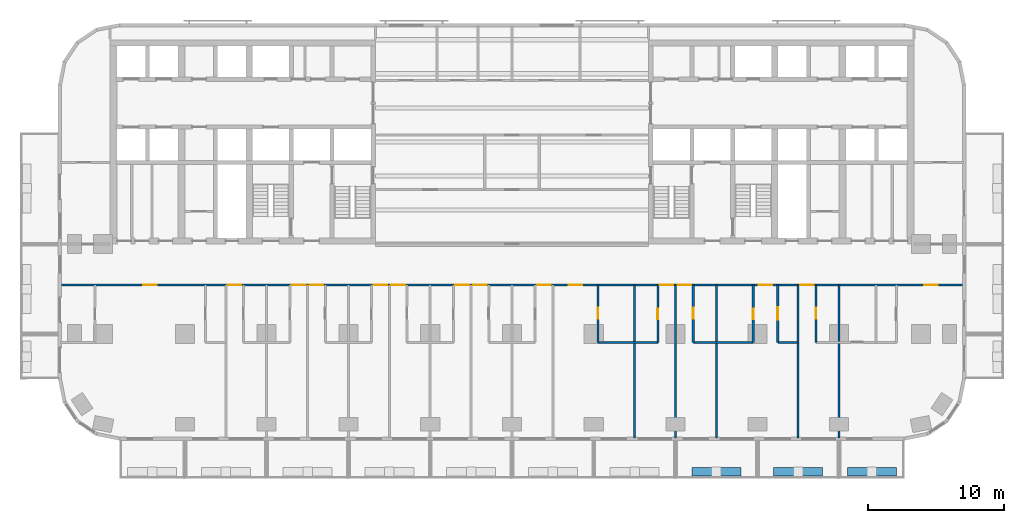
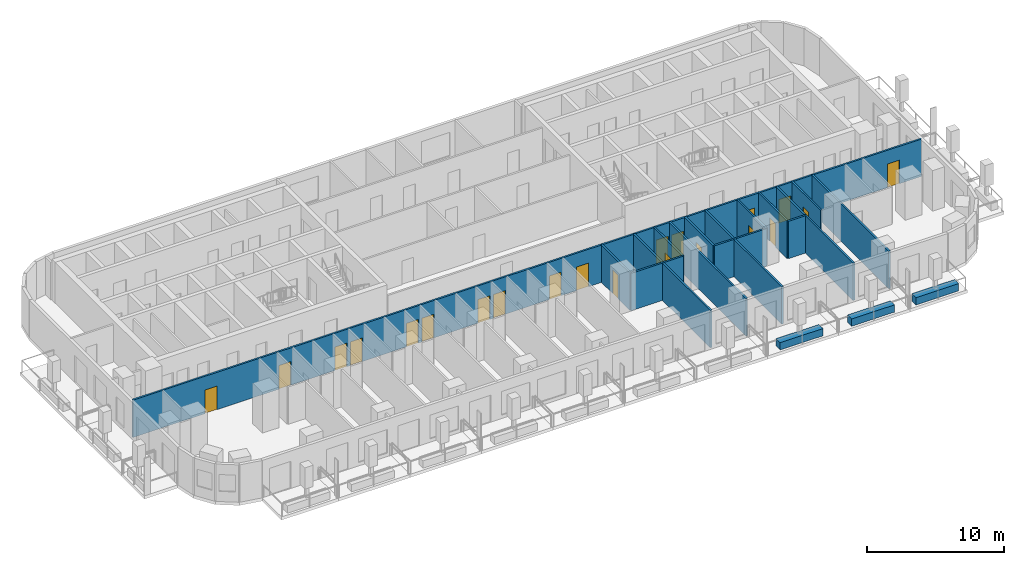
# One storey, part 6 of 15: 21 doors, 18 walls, 21 openings.
"""IFC4 building model written with IfcOpenShell, lengths in metres."""

from ifc_helpers import new_model, si_unit, direction, frame, frame_2d, origin, place, context, subcontext, project, spatial, rectangle, extrude, material, layer, layer_set, type_object, element, fill, save


model = new_model("IFC4")

# Units and contexts
model_context = context("Model", 3, precision=1e-05, world=origin(), true_north=direction((0.0, 1.0)))
body_context = subcontext(model_context, "Body", "Model", "MODEL_VIEW")
ifc_project = project(units=[si_unit("LENGTHUNIT", "METRE"), si_unit("AREAUNIT", "SQUARE_METRE"), si_unit("VOLUMEUNIT", "CUBIC_METRE"), si_unit("PLANEANGLEUNIT", "RADIAN"), si_unit("MASSUNIT", "GRAM", prefix="KILO")], contexts=[model_context])

# Site, building, storey
site_placement = place(None, origin())
site = spatial("IfcSite", under=ifc_project, at=site_placement, CompositionType="ELEMENT")
building_placement = place(site_placement, origin())
building = spatial("IfcBuilding", under=site, at=building_placement, Name="Torana Hotel and Residences", CompositionType="ELEMENT")
storey_placement = place(building_placement, frame((0.0, 0.0, 42.0)))
storey = spatial("IfcBuildingStorey", under=building, at=storey_placement, Name="L09", CompositionType="ELEMENT", Elevation=42.0)

# Wall, openings, doors
ifc_material_1 = material(Name="Gypsum plaster")
ifc_layer_1 = layer(ifc_material_1, 0.014892578125, Name="Plaster", Category="finish")
ifc_material_2 = material(Name="Concrete blockwork", Category="masonry")
ifc_layer_2 = layer(ifc_material_2, 0.1201171875, Name="Blockwork", Category="structure")
ifc_layer_3 = layer(ifc_material_1, 0.014892578125, Name="Plaster", Category="finish")
ifc_layer_set_1 = layer_set([ifc_layer_1, ifc_layer_2, ifc_layer_3], Name="FIRE PARTITION 150 BLOCKWORK")
wall_type_1 = type_object("IfcWallType", Name="FIRE PARTITION 150 BLOCKWORK", PredefinedType="PARTITIONING", material=ifc_layer_set_1)
wall_1_placement = place(storey_placement, frame((-33.1201171875, -18.0, 0.0), z_axis=(0.0, 0.0, 1.0), x_axis=(1.0, 0.0, 0.0)))
wall_1 = element("IfcWall", 1, at=wall_1_placement, inside=storey, type_object=wall_type_1, Name="Partition L09", PredefinedType="PARTITIONING", context=body_context, shape_type="SweptSolid", body=[
    extrude(rectangle(XDim=66.240234375, YDim=0.14990234375, at=frame_2d((33.1201171875, 0.0))), origin(), (0.0, 0.0, 1.0), 3.320068359375),
])
opening_1_placement = place(wall_1_placement, frame((12.27001953125, 0.0, 0.0)))
opening_1 = element("IfcOpeningElement", 2, at=opening_1_placement, cuts=wall_1, Name="Opening L09-40", PredefinedType="OPENING", context=body_context, shape_type="SweptSolid", body=[
    extrude(rectangle(XDim=1.0, YDim=2.10009765625, at=frame_2d((0.5, 1.050048828125))), frame((0.0, 0.0849609375, 0.0), z_axis=(0.0, -1.0, 0.0), x_axis=(1.0, 0.0, 0.0)), (0.0, 0.0, 1.0), 0.169921875),
])
opening_2_placement = place(wall_1_placement, frame((16.969970703125, 0.0, 0.0)))
opening_2 = element("IfcOpeningElement", 3, at=opening_2_placement, cuts=wall_1, Name="Opening L09-41", PredefinedType="OPENING", context=body_context, shape_type="SweptSolid", body=[
    extrude(rectangle(XDim=1.0, YDim=2.10009765625, at=frame_2d((0.5, 1.050048828125))), frame((0.0, 0.0849609375, 0.0), z_axis=(0.0, -1.0, 0.0), x_axis=(1.0, 0.0, 0.0)), (0.0, 0.0, 1.0), 0.169921875),
])
opening_3_placement = place(wall_1_placement, frame((18.27001953125, 0.0, 0.0)))
opening_3 = element("IfcOpeningElement", 4, at=opening_3_placement, cuts=wall_1, Name="Opening L09-42", PredefinedType="OPENING", context=body_context, shape_type="SweptSolid", body=[
    extrude(rectangle(XDim=1.0, YDim=2.10009765625, at=frame_2d((0.5, 1.050048828125))), frame((0.0, 0.0849609375, 0.0), z_axis=(0.0, -1.0, 0.0), x_axis=(1.0, 0.0, 0.0)), (0.0, 0.0, 1.0), 0.169921875),
])
opening_4_placement = place(wall_1_placement, frame((22.969970703125, 0.0, 0.0)))
opening_4 = element("IfcOpeningElement", 5, at=opening_4_placement, cuts=wall_1, Name="Opening L09-43", PredefinedType="OPENING", context=body_context, shape_type="SweptSolid", body=[
    extrude(rectangle(XDim=1.0, YDim=2.10009765625, at=frame_2d((0.5, 1.050048828125))), frame((0.0, 0.0849609375, 0.0), z_axis=(0.0, -1.0, 0.0), x_axis=(1.0, 0.0, 0.0)), (0.0, 0.0, 1.0), 0.169921875),
])
opening_5_placement = place(wall_1_placement, frame((24.27001953125, 0.0, 0.0)))
opening_5 = element("IfcOpeningElement", 6, at=opening_5_placement, cuts=wall_1, Name="Opening L09-44", PredefinedType="OPENING", context=body_context, shape_type="SweptSolid", body=[
    extrude(rectangle(XDim=1.0, YDim=2.10009765625, at=frame_2d((0.5, 1.050048828125))), frame((0.0, 0.0849609375, 0.0), z_axis=(0.0, -1.0, 0.0), x_axis=(1.0, 0.0, 0.0)), (0.0, 0.0, 1.0), 0.169921875),
])
opening_6_placement = place(wall_1_placement, frame((28.969970703125, 0.0, 0.0)))
opening_6 = element("IfcOpeningElement", 7, at=opening_6_placement, cuts=wall_1, Name="Opening L09-45", PredefinedType="OPENING", context=body_context, shape_type="SweptSolid", body=[
    extrude(rectangle(XDim=1.0, YDim=2.10009765625, at=frame_2d((0.5, 1.050048828125))), frame((0.0, 0.0849609375, 0.0), z_axis=(0.0, -1.0, 0.0), x_axis=(1.0, 0.0, 0.0)), (0.0, 0.0, 1.0), 0.169921875),
])
opening_7_placement = place(wall_1_placement, frame((30.27001953125, 0.0, 0.0)))
opening_7 = element("IfcOpeningElement", 8, at=opening_7_placement, cuts=wall_1, Name="Opening L09-46", PredefinedType="OPENING", context=body_context, shape_type="SweptSolid", body=[
    extrude(rectangle(XDim=1.0, YDim=2.10009765625, at=frame_2d((0.5, 1.050048828125))), frame((0.0, 0.0849609375, 0.0), z_axis=(0.0, -1.0, 0.0), x_axis=(1.0, 0.0, 0.0)), (0.0, 0.0, 1.0), 0.169921875),
])
opening_8_placement = place(wall_1_placement, frame((34.969970703125, 0.0, 0.0)))
opening_8 = element("IfcOpeningElement", 9, at=opening_8_placement, cuts=wall_1, Name="Opening L09-47", PredefinedType="OPENING", context=body_context, shape_type="SweptSolid", body=[
    extrude(rectangle(XDim=1.0, YDim=2.10009765625, at=frame_2d((0.5, 1.050048828125))), frame((0.0, 0.0849609375, 0.0), z_axis=(0.0, -1.0, 0.0), x_axis=(1.0, 0.0, 0.0)), (0.0, 0.0, 1.0), 0.169921875),
])
opening_9_placement = place(wall_1_placement, frame((37.27001953125, 0.0, 0.0)))
opening_9 = element("IfcOpeningElement", 10, at=opening_9_placement, cuts=wall_1, Name="Opening L09-48", PredefinedType="OPENING", context=body_context, shape_type="SweptSolid", body=[
    extrude(rectangle(XDim=1.0, YDim=2.10009765625, at=frame_2d((0.5, 1.050048828125))), frame((0.0, 0.0849609375, 0.0), z_axis=(0.0, -1.0, 0.0), x_axis=(1.0, 0.0, 0.0)), (0.0, 0.0, 1.0), 0.169921875),
])
opening_10_placement = place(wall_1_placement, frame((43.969970703125, 0.0, 0.0)))
opening_10 = element("IfcOpeningElement", 11, at=opening_10_placement, cuts=wall_1, Name="Opening L09-49", PredefinedType="OPENING", context=body_context, shape_type="SweptSolid", body=[
    extrude(rectangle(XDim=1.0, YDim=2.10009765625, at=frame_2d((0.5, 1.050048828125))), frame((0.0, 0.0849609375, 0.0), z_axis=(0.0, -1.0, 0.0), x_axis=(1.0, 0.0, 0.0)), (0.0, 0.0, 1.0), 0.169921875),
])
opening_11_placement = place(wall_1_placement, frame((45.27001953125, 0.0, 0.0)))
opening_11 = element("IfcOpeningElement", 12, at=opening_11_placement, cuts=wall_1, Name="Opening L09-50", PredefinedType="OPENING", context=body_context, shape_type="SweptSolid", body=[
    extrude(rectangle(XDim=1.0, YDim=2.10009765625, at=frame_2d((0.5, 1.050048828125))), frame((0.0, 0.0849609375, 0.0), z_axis=(0.0, -1.0, 0.0), x_axis=(1.0, 0.0, 0.0)), (0.0, 0.0, 1.0), 0.169921875),
])
opening_12_placement = place(wall_1_placement, frame((51.219970703125, 0.0, 0.0)))
opening_12 = element("IfcOpeningElement", 13, at=opening_12_placement, cuts=wall_1, Name="Opening L09-51", PredefinedType="OPENING", context=body_context, shape_type="SweptSolid", body=[
    extrude(rectangle(XDim=1.0, YDim=2.10009765625, at=frame_2d((0.5, 1.050048828125))), frame((0.0, 0.0849609375, 0.0), z_axis=(0.0, -1.0, 0.0), x_axis=(1.0, 0.0, 0.0)), (0.0, 0.0, 1.0), 0.169921875),
])
opening_13_placement = place(wall_1_placement, frame((54.27001953125, 0.0, 0.0)))
opening_13 = element("IfcOpeningElement", 14, at=opening_13_placement, cuts=wall_1, Name="Opening L09-52", PredefinedType="OPENING", context=body_context, shape_type="SweptSolid", body=[
    extrude(rectangle(XDim=1.0, YDim=2.10009765625, at=frame_2d((0.5, 1.050048828125))), frame((0.0, 0.0849609375, 0.0), z_axis=(0.0, -1.0, 0.0), x_axis=(1.0, 0.0, 0.0)), (0.0, 0.0, 1.0), 0.169921875),
])
opening_14_placement = place(wall_1_placement, frame((6.070068359375, 0.0, 0.0)))
opening_14 = element("IfcOpeningElement", 15, at=opening_14_placement, cuts=wall_1, Name="Opening L09-53", PredefinedType="OPENING", context=body_context, shape_type="SweptSolid", body=[
    extrude(rectangle(XDim=1.0, YDim=2.10009765625, at=frame_2d((0.5, 1.050048828125))), frame((0.0, 0.0849609375, 0.0), z_axis=(0.0, -1.0, 0.0), x_axis=(1.0, 0.0, 0.0)), (0.0, 0.0, 1.0), 0.169921875),
])
opening_15_placement = place(wall_1_placement, frame((63.3701171875, 0.0, 0.0)))
opening_15 = element("IfcOpeningElement", 16, at=opening_15_placement, cuts=wall_1, Name="Opening L09-54", PredefinedType="OPENING", context=body_context, shape_type="SweptSolid", body=[
    extrude(rectangle(XDim=1.0, YDim=2.10009765625, at=frame_2d((0.5, 1.050048828125))), frame((0.0, 0.0849609375, 0.0), z_axis=(0.0, -1.0, 0.0), x_axis=(1.0, 0.0, 0.0)), (0.0, 0.0, 1.0), 0.169921875),
])
ifc_material_3 = material(Name="Steel S235", Category="steel")
door_type_1 = type_object("IfcDoorType", Name="ENTRY FIRE DOOR D6 1000x2100", OperationType="SINGLE_SWING_LEFT", PredefinedType="DOOR", material=ifc_material_3)
door_1_placement = place(opening_1_placement, frame((0.5, 0.0, 0.0), z_axis=(0.0, 0.0, 1.0), x_axis=(-1.0, 0.0, 0.0)))
door_1 = element("IfcDoor", 17, at=door_1_placement, inside=storey, type_object=door_type_1, Name="Door L09", OperationType="SINGLE_SWING_LEFT", OverallHeight=2.10009765625, OverallWidth=1.0, PredefinedType="DOOR", context=body_context, shape_type="SweptSolid", body=[
    extrude(rectangle(XDim=1.0, YDim=2.10009765625, at=frame_2d((0.0, 1.050048828125))), frame((0.0, -0.02490234375, 0.0), z_axis=(0.0, 1.0, 0.0), x_axis=(-1.0, 0.0, 0.0)), (0.0, 0.0, 1.0), 0.050048828125),
])
fill(opening_1, door_1)
door_2_placement = place(opening_2_placement, frame((0.5, 0.0, 0.0), z_axis=(0.0, 0.0, 1.0), x_axis=(-1.0, 0.0, 0.0)))
door_2 = element("IfcDoor", 18, at=door_2_placement, inside=storey, type_object=door_type_1, Name="Door L09", OperationType="SINGLE_SWING_LEFT", OverallHeight=2.10009765625, OverallWidth=1.0, PredefinedType="DOOR", context=body_context, shape_type="SweptSolid", body=[
    extrude(rectangle(XDim=1.0, YDim=2.10009765625, at=frame_2d((0.0, 1.050048828125))), frame((0.0, -0.02490234375, 0.0), z_axis=(0.0, 1.0, 0.0), x_axis=(-1.0, 0.0, 0.0)), (0.0, 0.0, 1.0), 0.050048828125),
])
fill(opening_2, door_2)
door_3_placement = place(opening_3_placement, frame((0.5, 0.0, 0.0), z_axis=(0.0, 0.0, 1.0), x_axis=(-1.0, 0.0, 0.0)))
door_3 = element("IfcDoor", 19, at=door_3_placement, inside=storey, type_object=door_type_1, Name="Door L09", OperationType="SINGLE_SWING_LEFT", OverallHeight=2.10009765625, OverallWidth=1.0, PredefinedType="DOOR", context=body_context, shape_type="SweptSolid", body=[
    extrude(rectangle(XDim=1.0, YDim=2.10009765625, at=frame_2d((0.0, 1.050048828125))), frame((0.0, -0.02490234375, 0.0), z_axis=(0.0, 1.0, 0.0), x_axis=(-1.0, 0.0, 0.0)), (0.0, 0.0, 1.0), 0.050048828125),
])
fill(opening_3, door_3)
door_4_placement = place(opening_4_placement, frame((0.5, 0.0, 0.0), z_axis=(0.0, 0.0, 1.0), x_axis=(-1.0, 0.0, 0.0)))
door_4 = element("IfcDoor", 20, at=door_4_placement, inside=storey, type_object=door_type_1, Name="Door L09", OperationType="SINGLE_SWING_LEFT", OverallHeight=2.10009765625, OverallWidth=1.0, PredefinedType="DOOR", context=body_context, shape_type="SweptSolid", body=[
    extrude(rectangle(XDim=1.0, YDim=2.10009765625, at=frame_2d((0.0, 1.050048828125))), frame((0.0, -0.02490234375, 0.0), z_axis=(0.0, 1.0, 0.0), x_axis=(-1.0, 0.0, 0.0)), (0.0, 0.0, 1.0), 0.050048828125),
])
fill(opening_4, door_4)
door_5_placement = place(opening_5_placement, frame((0.5, 0.0, 0.0), z_axis=(0.0, 0.0, 1.0), x_axis=(-1.0, 0.0, 0.0)))
door_5 = element("IfcDoor", 21, at=door_5_placement, inside=storey, type_object=door_type_1, Name="Door L09", OperationType="SINGLE_SWING_LEFT", OverallHeight=2.10009765625, OverallWidth=1.0, PredefinedType="DOOR", context=body_context, shape_type="SweptSolid", body=[
    extrude(rectangle(XDim=1.0, YDim=2.10009765625, at=frame_2d((0.0, 1.050048828125))), frame((0.0, -0.02490234375, 0.0), z_axis=(0.0, 1.0, 0.0), x_axis=(-1.0, 0.0, 0.0)), (0.0, 0.0, 1.0), 0.050048828125),
])
fill(opening_5, door_5)
door_6_placement = place(opening_6_placement, frame((0.5, 0.0, 0.0), z_axis=(0.0, 0.0, 1.0), x_axis=(-1.0, 0.0, 0.0)))
door_6 = element("IfcDoor", 22, at=door_6_placement, inside=storey, type_object=door_type_1, Name="Door L09", OperationType="SINGLE_SWING_LEFT", OverallHeight=2.10009765625, OverallWidth=1.0, PredefinedType="DOOR", context=body_context, shape_type="SweptSolid", body=[
    extrude(rectangle(XDim=1.0, YDim=2.10009765625, at=frame_2d((0.0, 1.050048828125))), frame((0.0, -0.02490234375, 0.0), z_axis=(0.0, 1.0, 0.0), x_axis=(-1.0, 0.0, 0.0)), (0.0, 0.0, 1.0), 0.050048828125),
])
fill(opening_6, door_6)
door_7_placement = place(opening_7_placement, frame((0.5, 0.0, 0.0), z_axis=(0.0, 0.0, 1.0), x_axis=(-1.0, 0.0, 0.0)))
door_7 = element("IfcDoor", 23, at=door_7_placement, inside=storey, type_object=door_type_1, Name="Door L09", OperationType="SINGLE_SWING_LEFT", OverallHeight=2.10009765625, OverallWidth=1.0, PredefinedType="DOOR", context=body_context, shape_type="SweptSolid", body=[
    extrude(rectangle(XDim=1.0, YDim=2.10009765625, at=frame_2d((0.0, 1.050048828125))), frame((0.0, -0.02490234375, 0.0), z_axis=(0.0, 1.0, 0.0), x_axis=(-1.0, 0.0, 0.0)), (0.0, 0.0, 1.0), 0.050048828125),
])
fill(opening_7, door_7)
door_8_placement = place(opening_8_placement, frame((0.5, 0.0, 0.0), z_axis=(0.0, 0.0, 1.0), x_axis=(-1.0, 0.0, 0.0)))
door_8 = element("IfcDoor", 24, at=door_8_placement, inside=storey, type_object=door_type_1, Name="Door L09", OperationType="SINGLE_SWING_LEFT", OverallHeight=2.10009765625, OverallWidth=1.0, PredefinedType="DOOR", context=body_context, shape_type="SweptSolid", body=[
    extrude(rectangle(XDim=1.0, YDim=2.10009765625, at=frame_2d((0.0, 1.050048828125))), frame((0.0, -0.02490234375, 0.0), z_axis=(0.0, 1.0, 0.0), x_axis=(-1.0, 0.0, 0.0)), (0.0, 0.0, 1.0), 0.050048828125),
])
fill(opening_8, door_8)
door_9_placement = place(opening_9_placement, frame((0.5, 0.0, 0.0), z_axis=(0.0, 0.0, 1.0), x_axis=(-1.0, 0.0, 0.0)))
door_9 = element("IfcDoor", 25, at=door_9_placement, inside=storey, type_object=door_type_1, Name="Door L09", OperationType="SINGLE_SWING_LEFT", OverallHeight=2.10009765625, OverallWidth=1.0, PredefinedType="DOOR", context=body_context, shape_type="SweptSolid", body=[
    extrude(rectangle(XDim=1.0, YDim=2.10009765625, at=frame_2d((0.0, 1.050048828125))), frame((0.0, -0.02490234375, 0.0), z_axis=(0.0, 1.0, 0.0), x_axis=(-1.0, 0.0, 0.0)), (0.0, 0.0, 1.0), 0.050048828125),
])
fill(opening_9, door_9)
door_10_placement = place(opening_10_placement, frame((0.5, 0.0, 0.0), z_axis=(0.0, 0.0, 1.0), x_axis=(-1.0, 0.0, 0.0)))
door_10 = element("IfcDoor", 26, at=door_10_placement, inside=storey, type_object=door_type_1, Name="Door L09", OperationType="SINGLE_SWING_LEFT", OverallHeight=2.10009765625, OverallWidth=1.0, PredefinedType="DOOR", context=body_context, shape_type="SweptSolid", body=[
    extrude(rectangle(XDim=1.0, YDim=2.10009765625, at=frame_2d((0.0, 1.050048828125))), frame((0.0, -0.02490234375, 0.0), z_axis=(0.0, 1.0, 0.0), x_axis=(-1.0, 0.0, 0.0)), (0.0, 0.0, 1.0), 0.050048828125),
])
fill(opening_10, door_10)
door_11_placement = place(opening_11_placement, frame((0.5, 0.0, 0.0), z_axis=(0.0, 0.0, 1.0), x_axis=(-1.0, 0.0, 0.0)))
door_11 = element("IfcDoor", 27, at=door_11_placement, inside=storey, type_object=door_type_1, Name="Door L09", OperationType="SINGLE_SWING_LEFT", OverallHeight=2.10009765625, OverallWidth=1.0, PredefinedType="DOOR", context=body_context, shape_type="SweptSolid", body=[
    extrude(rectangle(XDim=1.0, YDim=2.10009765625, at=frame_2d((0.0, 1.050048828125))), frame((0.0, -0.02490234375, 0.0), z_axis=(0.0, 1.0, 0.0), x_axis=(-1.0, 0.0, 0.0)), (0.0, 0.0, 1.0), 0.050048828125),
])
fill(opening_11, door_11)
door_12_placement = place(opening_12_placement, frame((0.5, 0.0, 0.0), z_axis=(0.0, 0.0, 1.0), x_axis=(-1.0, 0.0, 0.0)))
door_12 = element("IfcDoor", 28, at=door_12_placement, inside=storey, type_object=door_type_1, Name="Door L09", OperationType="SINGLE_SWING_LEFT", OverallHeight=2.10009765625, OverallWidth=1.0, PredefinedType="DOOR", context=body_context, shape_type="SweptSolid", body=[
    extrude(rectangle(XDim=1.0, YDim=2.10009765625, at=frame_2d((0.0, 1.050048828125))), frame((0.0, -0.02490234375, 0.0), z_axis=(0.0, 1.0, 0.0), x_axis=(-1.0, 0.0, 0.0)), (0.0, 0.0, 1.0), 0.050048828125),
])
fill(opening_12, door_12)
door_13_placement = place(opening_13_placement, frame((0.5, 0.0, 0.0), z_axis=(0.0, 0.0, 1.0), x_axis=(-1.0, 0.0, 0.0)))
door_13 = element("IfcDoor", 29, at=door_13_placement, inside=storey, type_object=door_type_1, Name="Door L09", OperationType="SINGLE_SWING_LEFT", OverallHeight=2.10009765625, OverallWidth=1.0, PredefinedType="DOOR", context=body_context, shape_type="SweptSolid", body=[
    extrude(rectangle(XDim=1.0, YDim=2.10009765625, at=frame_2d((0.0, 1.050048828125))), frame((0.0, -0.02490234375, 0.0), z_axis=(0.0, 1.0, 0.0), x_axis=(-1.0, 0.0, 0.0)), (0.0, 0.0, 1.0), 0.050048828125),
])
fill(opening_13, door_13)
door_14_placement = place(opening_14_placement, frame((0.5, 0.0, 0.0), z_axis=(0.0, 0.0, 1.0), x_axis=(-1.0, 0.0, 0.0)))
door_14 = element("IfcDoor", 30, at=door_14_placement, inside=storey, type_object=door_type_1, Name="Door L09", OperationType="SINGLE_SWING_LEFT", OverallHeight=2.10009765625, OverallWidth=1.0, PredefinedType="DOOR", context=body_context, shape_type="SweptSolid", body=[
    extrude(rectangle(XDim=1.0, YDim=2.10009765625, at=frame_2d((0.0, 1.050048828125))), frame((0.0, -0.02490234375, 0.0), z_axis=(0.0, 1.0, 0.0), x_axis=(-1.0, 0.0, 0.0)), (0.0, 0.0, 1.0), 0.050048828125),
])
fill(opening_14, door_14)
door_15_placement = place(opening_15_placement, frame((0.5, 0.0, 0.0), z_axis=(0.0, 0.0, 1.0), x_axis=(-1.0, 0.0, 0.0)))
door_15 = element("IfcDoor", 31, at=door_15_placement, inside=storey, type_object=door_type_1, Name="Door L09", OperationType="SINGLE_SWING_LEFT", OverallHeight=2.10009765625, OverallWidth=1.0, PredefinedType="DOOR", context=body_context, shape_type="SweptSolid", body=[
    extrude(rectangle(XDim=1.0, YDim=2.10009765625, at=frame_2d((0.0, 1.050048828125))), frame((0.0, -0.02490234375, 0.0), z_axis=(0.0, 1.0, 0.0), x_axis=(-1.0, 0.0, 0.0)), (0.0, 0.0, 1.0), 0.050048828125),
])
fill(opening_15, door_15)

# Wall
ifc_material_4 = material(Name="Gypsum plasterboard")
ifc_layer_4 = layer(ifc_material_4, 0.012451171875, Name="Plasterboard", Category="finish")
ifc_layer_5 = layer(ifc_material_4, 0.012451171875, Name="Plasterboard", Category="finish")
ifc_material_5 = material(Name="Steel S280GD", Category="steel")
ifc_layer_6 = layer(ifc_material_5, 0.10009765625, Name="Steel studs with mineral wool", Category="insulation")
ifc_layer_7 = layer(ifc_material_4, 0.012451171875, Name="Plasterboard", Category="finish")
ifc_layer_8 = layer(ifc_material_4, 0.012451171875, Name="Plasterboard", Category="finish")
ifc_layer_set_2 = layer_set([ifc_layer_4, ifc_layer_5, ifc_layer_6, ifc_layer_7, ifc_layer_8], Name="PARTITION 150 PLASTERBOARD")
wall_type_2 = type_object("IfcWallType", Name="PARTITION 150 PLASTERBOARD", PredefinedType="PARTITIONING", material=ifc_layer_set_2)
wall_2_placement = place(storey_placement, frame((24.0, -29.219970703125, 0.0), z_axis=(0.0, 0.0, 1.0), x_axis=(0.0, 1.0, 0.0)))
element("IfcWall", 32, at=wall_2_placement, inside=storey, type_object=wall_type_2, Name="Partition L09", PredefinedType="PARTITIONING", context=body_context, shape_type="SweptSolid", body=[
    extrude(rectangle(XDim=11.219970703125, YDim=0.14990234375, at=frame_2d((5.60986328125, 0.0))), origin(), (0.0, 0.0, 1.0), 3.320068359375),
])

# Wall, opening, door
wall_3_placement = place(storey_placement, frame((22.300048828125, -22.199951171875, 0.0), z_axis=(0.0, 0.0, 1.0), x_axis=(0.0, 1.0, 0.0)))
wall_3 = element("IfcWall", 33, at=wall_3_placement, inside=storey, type_object=wall_type_2, Name="Partition L09", PredefinedType="PARTITIONING", context=body_context, shape_type="SweptSolid", body=[
    extrude(rectangle(XDim=4.199951171875, YDim=0.14990234375, at=frame_2d((2.10009765625, 0.0))), origin(), (0.0, 0.0, 1.0), 3.320068359375),
])
opening_16_placement = place(wall_3_placement, frame((1.719970703125, 0.0, 0.0)))
opening_16 = element("IfcOpeningElement", 34, at=opening_16_placement, cuts=wall_3, Name="Opening L09-79", PredefinedType="OPENING", context=body_context, shape_type="SweptSolid", body=[
    extrude(rectangle(XDim=0.800048828125, YDim=2.10009765625, at=frame_2d((0.39990234375, 1.050048828125))), frame((0.0, 0.0849609375, 0.0), z_axis=(0.0, -1.0, 0.0), x_axis=(1.0, 0.0, 0.0)), (0.0, 0.0, 1.0), 0.169921875),
])
ifc_material_6 = material(Name="Timber door, painted", Category="wood")
door_type_2 = type_object("IfcDoorType", Name="BATH DOOR D13 800x2100", OperationType="SINGLE_SWING_LEFT", PredefinedType="DOOR", material=ifc_material_6)
door_16_placement = place(opening_16_placement, origin())
door_16 = element("IfcDoor", 35, at=door_16_placement, inside=storey, type_object=door_type_2, Name="Door L09", OperationType="SINGLE_SWING_RIGHT", OverallHeight=2.10009765625, OverallWidth=0.800048828125, PredefinedType="DOOR", context=body_context, shape_type="SweptSolid", body=[
    extrude(rectangle(XDim=0.800048828125, YDim=2.10009765625, at=frame_2d((0.39990234375, 1.050048828125))), frame((0.0, 0.02490234375, 0.0), z_axis=(0.0, -1.0, 0.0), x_axis=(1.0, 0.0, 0.0)), (0.0, 0.0, 1.0), 0.050048828125),
])
fill(opening_16, door_16)

# Wall
wall_4_placement = place(storey_placement, frame((21.0, -29.219970703125, 0.0), z_axis=(0.0, 0.0, 1.0), x_axis=(0.0, 1.0, 0.0)))
element("IfcWall", 36, at=wall_4_placement, inside=storey, type_object=wall_type_2, Name="Partition L09", PredefinedType="PARTITIONING", context=body_context, shape_type="SweptSolid", body=[
    extrude(rectangle(XDim=11.219970703125, YDim=0.14990234375, at=frame_2d((5.60986328125, 0.0))), origin(), (0.0, 0.0, 1.0), 3.320068359375),
])

# Wall, opening, door
wall_5_placement = place(storey_placement, frame((19.5, -22.199951171875, 0.0), z_axis=(0.0, 0.0, 1.0), x_axis=(0.0, 1.0, 0.0)))
wall_5 = element("IfcWall", 37, at=wall_5_placement, inside=storey, type_object=wall_type_2, Name="Partition L09", PredefinedType="PARTITIONING", context=body_context, shape_type="SweptSolid", body=[
    extrude(rectangle(XDim=4.199951171875, YDim=0.14990234375, at=frame_2d((2.10009765625, 0.0))), origin(), (0.0, 0.0, 1.0), 3.320068359375),
])
opening_17_placement = place(wall_5_placement, frame((1.669921875, 0.0, 0.0)))
opening_17 = element("IfcOpeningElement", 38, at=opening_17_placement, cuts=wall_5, Name="Opening L09-78", PredefinedType="OPENING", context=body_context, shape_type="SweptSolid", body=[
    extrude(rectangle(XDim=0.89990234375, YDim=2.10009765625, at=frame_2d((0.449951171875, 1.050048828125))), frame((0.0, 0.0849609375, 0.0), z_axis=(0.0, -1.0, 0.0), x_axis=(1.0, 0.0, 0.0)), (0.0, 0.0, 1.0), 0.169921875),
])
ifc_material_7 = material(Name="Timber door, oiled ash", Category="wood")
door_type_3 = type_object("IfcDoorType", Name="ROOM DOOR D7 900x2100", OperationType="SINGLE_SWING_LEFT", PredefinedType="DOOR", material=ifc_material_7)
door_17_placement = place(opening_17_placement, origin())
door_17 = element("IfcDoor", 39, at=door_17_placement, inside=storey, type_object=door_type_3, Name="Door L09", OperationType="SINGLE_SWING_RIGHT", OverallHeight=2.10009765625, OverallWidth=0.89990234375, PredefinedType="DOOR", context=body_context, shape_type="SweptSolid", body=[
    extrude(rectangle(XDim=0.89990234375, YDim=2.10009765625, at=frame_2d((0.449951171875, 1.050048828125))), frame((0.0, 0.02490234375, 0.0), z_axis=(0.0, -1.0, 0.0), x_axis=(1.0, 0.0, 0.0)), (0.0, 0.0, 1.0), 0.050048828125),
])
fill(opening_17, door_17)

wall_6_placement = place(storey_placement, frame((17.699951171875, -22.199951171875, 0.0), z_axis=(0.0, 0.0, 1.0), x_axis=(0.0, 1.0, 0.0)))
wall_6 = element("IfcWall", 40, at=wall_6_placement, inside=storey, type_object=wall_type_2, Name="Partition L09", PredefinedType="PARTITIONING", context=body_context, shape_type="SweptSolid", body=[
    extrude(rectangle(XDim=4.199951171875, YDim=0.14990234375, at=frame_2d((2.10009765625, 0.0))), origin(), (0.0, 0.0, 1.0), 3.320068359375),
])
opening_18_placement = place(wall_6_placement, frame((1.679931640625, 0.0, 0.0)))
opening_18 = element("IfcOpeningElement", 41, at=opening_18_placement, cuts=wall_6, Name="Opening L09-77", PredefinedType="OPENING", context=body_context, shape_type="SweptSolid", body=[
    extrude(rectangle(XDim=0.800048828125, YDim=2.10009765625, at=frame_2d((0.39990234375, 1.050048828125))), frame((0.0, 0.0849609375, 0.0), z_axis=(0.0, -1.0, 0.0), x_axis=(1.0, 0.0, 0.0)), (0.0, 0.0, 1.0), 0.169921875),
])
door_18_placement = place(opening_18_placement, origin())
door_18 = element("IfcDoor", 42, at=door_18_placement, inside=storey, type_object=door_type_2, Name="Door L09", OperationType="SINGLE_SWING_RIGHT", OverallHeight=2.10009765625, OverallWidth=0.800048828125, PredefinedType="DOOR", context=body_context, shape_type="SweptSolid", body=[
    extrude(rectangle(XDim=0.800048828125, YDim=2.10009765625, at=frame_2d((0.39990234375, 1.050048828125))), frame((0.0, 0.02490234375, 0.0), z_axis=(0.0, -1.0, 0.0), x_axis=(1.0, 0.0, 0.0)), (0.0, 0.0, 1.0), 0.050048828125),
])
fill(opening_18, door_18)

# Wall
wall_7_placement = place(storey_placement, frame((15.0, -29.219970703125, 0.0), z_axis=(0.0, 0.0, 1.0), x_axis=(0.0, 1.0, 0.0)))
element("IfcWall", 43, at=wall_7_placement, inside=storey, type_object=wall_type_2, Name="Partition L09", PredefinedType="PARTITIONING", context=body_context, shape_type="SweptSolid", body=[
    extrude(rectangle(XDim=11.219970703125, YDim=0.14990234375, at=frame_2d((5.60986328125, 0.0))), origin(), (0.0, 0.0, 1.0), 3.320068359375),
])

# Wall, opening, door
wall_8_placement = place(storey_placement, frame((13.300048828125, -22.199951171875, 0.0), z_axis=(0.0, 0.0, 1.0), x_axis=(0.0, 1.0, 0.0)))
wall_8 = element("IfcWall", 44, at=wall_8_placement, inside=storey, type_object=wall_type_2, Name="Partition L09", PredefinedType="PARTITIONING", context=body_context, shape_type="SweptSolid", body=[
    extrude(rectangle(XDim=4.199951171875, YDim=0.14990234375, at=frame_2d((2.10009765625, 0.0))), origin(), (0.0, 0.0, 1.0), 3.320068359375),
])
opening_19_placement = place(wall_8_placement, frame((1.719970703125, 0.0, 0.0)))
opening_19 = element("IfcOpeningElement", 45, at=opening_19_placement, cuts=wall_8, Name="Opening L09-76", PredefinedType="OPENING", context=body_context, shape_type="SweptSolid", body=[
    extrude(rectangle(XDim=0.800048828125, YDim=2.10009765625, at=frame_2d((0.39990234375, 1.050048828125))), frame((0.0, 0.0849609375, 0.0), z_axis=(0.0, -1.0, 0.0), x_axis=(1.0, 0.0, 0.0)), (0.0, 0.0, 1.0), 0.169921875),
])
door_19_placement = place(opening_19_placement, origin())
door_19 = element("IfcDoor", 46, at=door_19_placement, inside=storey, type_object=door_type_2, Name="Door L09", OperationType="SINGLE_SWING_RIGHT", OverallHeight=2.10009765625, OverallWidth=0.800048828125, PredefinedType="DOOR", context=body_context, shape_type="SweptSolid", body=[
    extrude(rectangle(XDim=0.800048828125, YDim=2.10009765625, at=frame_2d((0.39990234375, 1.050048828125))), frame((0.0, 0.02490234375, 0.0), z_axis=(0.0, -1.0, 0.0), x_axis=(1.0, 0.0, 0.0)), (0.0, 0.0, 1.0), 0.050048828125),
])
fill(opening_19, door_19)

# Wall
wall_9_placement = place(storey_placement, frame((12.0, -29.219970703125, 0.0), z_axis=(0.0, 0.0, 1.0), x_axis=(0.0, 1.0, 0.0)))
element("IfcWall", 47, at=wall_9_placement, inside=storey, type_object=wall_type_2, Name="Partition L09", PredefinedType="PARTITIONING", context=body_context, shape_type="SweptSolid", body=[
    extrude(rectangle(XDim=11.219970703125, YDim=0.14990234375, at=frame_2d((5.60986328125, 0.0))), origin(), (0.0, 0.0, 1.0), 3.320068359375),
])

# Wall, opening, door
wall_10_placement = place(storey_placement, frame((10.699951171875, -22.199951171875, 0.0), z_axis=(0.0, 0.0, 1.0), x_axis=(0.0, 1.0, 0.0)))
wall_10 = element("IfcWall", 48, at=wall_10_placement, inside=storey, type_object=wall_type_2, Name="Partition L09", PredefinedType="PARTITIONING", context=body_context, shape_type="SweptSolid", body=[
    extrude(rectangle(XDim=4.199951171875, YDim=0.14990234375, at=frame_2d((2.10009765625, 0.0))), origin(), (0.0, 0.0, 1.0), 3.320068359375),
])
opening_20_placement = place(wall_10_placement, frame((1.679931640625, 0.0, 0.0)))
opening_20 = element("IfcOpeningElement", 49, at=opening_20_placement, cuts=wall_10, Name="Opening L09-75", PredefinedType="OPENING", context=body_context, shape_type="SweptSolid", body=[
    extrude(rectangle(XDim=0.800048828125, YDim=2.10009765625, at=frame_2d((0.39990234375, 1.050048828125))), frame((0.0, 0.0849609375, 0.0), z_axis=(0.0, -1.0, 0.0), x_axis=(1.0, 0.0, 0.0)), (0.0, 0.0, 1.0), 0.169921875),
])
door_20_placement = place(opening_20_placement, origin())
door_20 = element("IfcDoor", 50, at=door_20_placement, inside=storey, type_object=door_type_2, Name="Door L09", OperationType="SINGLE_SWING_RIGHT", OverallHeight=2.10009765625, OverallWidth=0.800048828125, PredefinedType="DOOR", context=body_context, shape_type="SweptSolid", body=[
    extrude(rectangle(XDim=0.800048828125, YDim=2.10009765625, at=frame_2d((0.39990234375, 1.050048828125))), frame((0.0, 0.02490234375, 0.0), z_axis=(0.0, -1.0, 0.0), x_axis=(1.0, 0.0, 0.0)), (0.0, 0.0, 1.0), 0.050048828125),
])
fill(opening_20, door_20)

# Wall
wall_11_placement = place(storey_placement, frame((9.0, -29.219970703125, 0.0), z_axis=(0.0, 0.0, 1.0), x_axis=(0.0, 1.0, 0.0)))
element("IfcWall", 51, at=wall_11_placement, inside=storey, type_object=wall_type_2, Name="Partition L09", PredefinedType="PARTITIONING", context=body_context, shape_type="SweptSolid", body=[
    extrude(rectangle(XDim=11.219970703125, YDim=0.14990234375, at=frame_2d((5.60986328125, 0.0))), origin(), (0.0, 0.0, 1.0), 3.320068359375),
])

# Wall, opening, door
wall_12_placement = place(storey_placement, frame((6.300048828125, -22.199951171875, 0.0), z_axis=(0.0, 0.0, 1.0), x_axis=(0.0, 1.0, 0.0)))
wall_12 = element("IfcWall", 52, at=wall_12_placement, inside=storey, type_object=wall_type_2, Name="Partition L09", PredefinedType="PARTITIONING", context=body_context, shape_type="SweptSolid", body=[
    extrude(rectangle(XDim=4.199951171875, YDim=0.14990234375, at=frame_2d((2.10009765625, 0.0))), origin(), (0.0, 0.0, 1.0), 3.320068359375),
])
opening_21_placement = place(wall_12_placement, frame((1.719970703125, 0.0, 0.0)))
opening_21 = element("IfcOpeningElement", 53, at=opening_21_placement, cuts=wall_12, Name="Opening L09-74", PredefinedType="OPENING", context=body_context, shape_type="SweptSolid", body=[
    extrude(rectangle(XDim=0.800048828125, YDim=2.10009765625, at=frame_2d((0.39990234375, 1.050048828125))), frame((0.0, 0.0849609375, 0.0), z_axis=(0.0, -1.0, 0.0), x_axis=(1.0, 0.0, 0.0)), (0.0, 0.0, 1.0), 0.169921875),
])
door_21_placement = place(opening_21_placement, origin())
door_21 = element("IfcDoor", 54, at=door_21_placement, inside=storey, type_object=door_type_2, Name="Door L09", OperationType="SINGLE_SWING_RIGHT", OverallHeight=2.10009765625, OverallWidth=0.800048828125, PredefinedType="DOOR", context=body_context, shape_type="SweptSolid", body=[
    extrude(rectangle(XDim=0.800048828125, YDim=2.10009765625, at=frame_2d((0.39990234375, 1.050048828125))), frame((0.0, 0.02490234375, 0.0), z_axis=(0.0, -1.0, 0.0), x_axis=(1.0, 0.0, 0.0)), (0.0, 0.0, 1.0), 0.050048828125),
])
fill(opening_21, door_21)

# Walls
for number, where, z_axis, x_axis, name in (
    (55, (6.300048828125, -22.199951171875, 0.0), (0.0, 0.0, 1.0), (1.0, 0.0, 0.0), "Partition L09"),
    (56, (13.300048828125, -22.199951171875, 0.0), (0.0, 0.0, 1.0), (1.0, 0.0, 0.0), "Partition L09"),
):
    element("IfcWall", number, at=place(storey_placement, frame(where, z_axis=z_axis, x_axis=x_axis)), inside=storey, type_object=wall_type_2, Name=name, PredefinedType="PARTITIONING", context=body_context, shape_type="SweptSolid", body=[
        extrude(rectangle(XDim=4.39990234375, YDim=0.14990234375, at=frame_2d((2.199951171875, 0.0))), origin(), (0.0, 0.0, 1.0), 3.320068359375),
    ])
wall_13_placement = place(storey_placement, frame((19.5, -22.199951171875, 0.0), z_axis=(0.0, 0.0, 1.0), x_axis=(1.0, 0.0, 0.0)))
element("IfcWall", 57, at=wall_13_placement, inside=storey, type_object=wall_type_2, Name="Partition L09", PredefinedType="PARTITIONING", context=body_context, shape_type="SweptSolid", body=[
    extrude(rectangle(XDim=1.5, YDim=0.14990234375, at=frame_2d((0.75, 0.0))), origin(), (0.0, 0.0, 1.0), 3.320068359375),
])
ifc_material_8 = material(Name="Concrete C40/50 precast", Category="concrete")
ifc_layer_9 = layer(ifc_material_8, 0.10009765625, Name="Planter shell", Category="structure")
ifc_material_9 = material(Name="Root resistant membrane")
ifc_layer_10 = layer(ifc_material_9, 0.00390625, Name="Waterproofing membrane", Category="membrane")
ifc_material_10 = material(Name="Drainage board with filter fleece")
ifc_layer_11 = layer(ifc_material_10, 0.02001953125, Name="Drainage board", Category="drainage")
ifc_material_11 = material(Name="Growing medium")
ifc_layer_12 = layer(ifc_material_11, 0.47607421875, Name="Planting substrate", Category="soil")
ifc_layer_set_3 = layer_set([ifc_layer_9, ifc_layer_10, ifc_layer_11, ifc_layer_12], Name="PL1 BALCONY PLANTER 600")
wall_type_3 = type_object("IfcWallType", Name="PL1 BALCONY PLANTER 600", PredefinedType="USERDEFINED", material=ifc_layer_set_3)
for number, where, z_axis, x_axis, name in (
    (58, (16.800048828125, -31.699951171875, 0.0), (0.0, 0.0, 1.0), (-1.0, 0.0, 0.0), "Planter 08"),
    (59, (22.800048828125, -31.699951171875, 0.0), (0.0, 0.0, 1.0), (-1.0, 0.0, 0.0), "Planter 09"),
):
    element("IfcWall", number, at=place(storey_placement, frame(where, z_axis=z_axis, x_axis=x_axis)), inside=storey, type_object=wall_type_3, Name=name, ObjectType="PLANTER", PredefinedType="USERDEFINED", context=body_context, shape_type="SweptSolid", body=[
        extrude(rectangle(XDim=3.60009765625, YDim=0.60009765625, at=frame_2d((1.800048828125, 0.0))), origin(), (0.0, 0.0, 1.0), 0.64990234375),
    ])
wall_14_placement = place(storey_placement, frame((28.199951171875, -31.699951171875, 0.0), z_axis=(0.0, 0.0, 1.0), x_axis=(-1.0, 0.0, 0.0)))
element("IfcWall", 60, at=wall_14_placement, inside=storey, type_object=wall_type_3, Name="Planter 10", ObjectType="PLANTER", PredefinedType="USERDEFINED", context=body_context, shape_type="SweptSolid", body=[
    extrude(rectangle(XDim=3.599853515625, YDim=0.60009765625, at=frame_2d((1.7998046875, 0.0))), origin(), (0.0, 0.0, 1.0), 0.64990234375),
])

save(model, "model.ifc")
